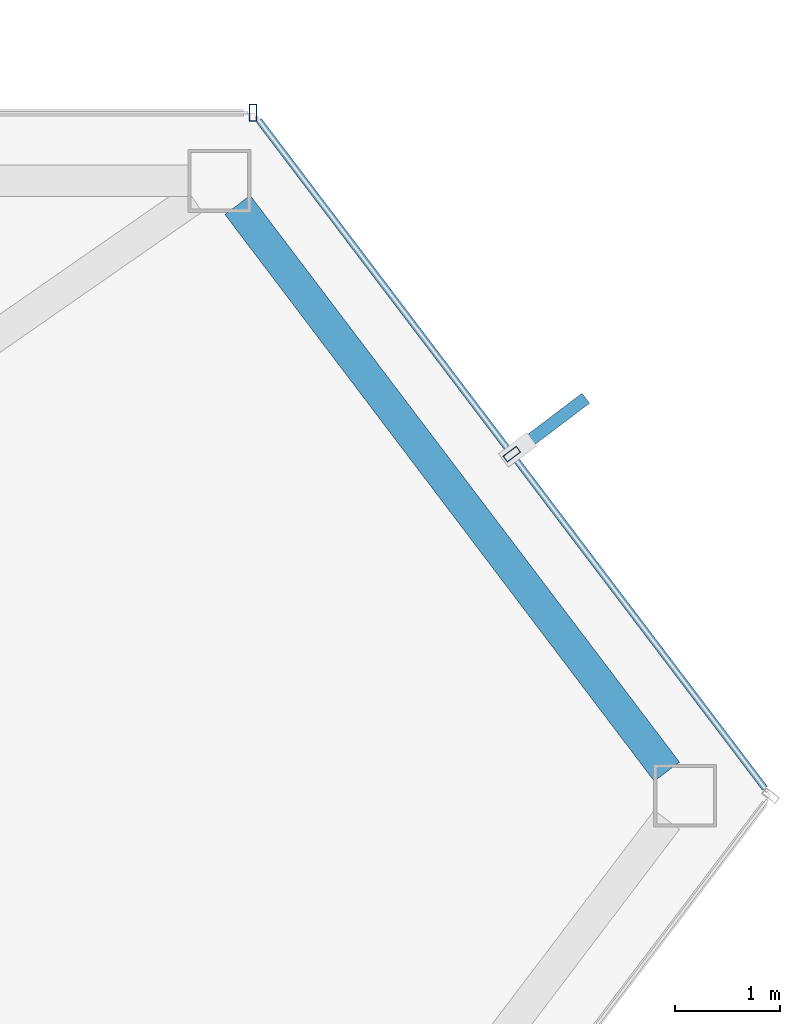
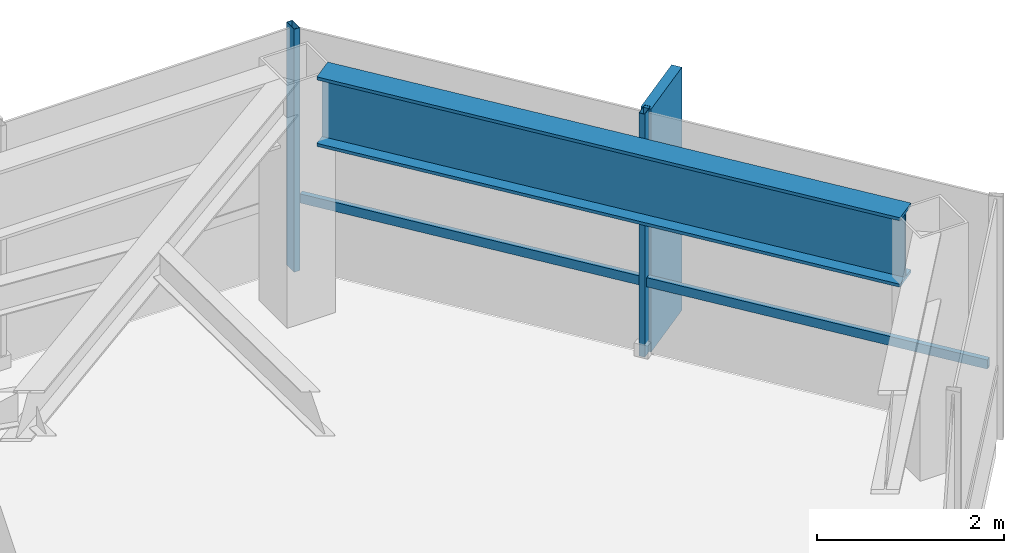
# One storey, part 22 of 27: 4 members, 1 beam, 2 elements without a shape of their own.
"""IFC4 building model written with IfcOpenShell, lengths in metres."""

from ifc_helpers import new_model, si_unit, direction, frame, origin, origin_2d, place, context, subcontext, project, spatial, rectangle, hollow_rectangle, i_section, extrude, material, layer, layer_set, material_profile, profile_set, type_object, element, aggregate, save


model = new_model("IFC4")

# Units and contexts
model_context = context("Model", 3, precision=1e-05, world=origin(), true_north=direction((0.0, 1.0)))
body_context = subcontext(model_context, "Body", "Model", "MODEL_VIEW")
ifc_project = project(units=[si_unit("LENGTHUNIT", "METRE"), si_unit("AREAUNIT", "SQUARE_METRE"), si_unit("VOLUMEUNIT", "CUBIC_METRE"), si_unit("PLANEANGLEUNIT", "RADIAN"), si_unit("MASSUNIT", "GRAM", prefix="KILO")], contexts=[model_context])

# Site, building, storey
site_placement = place(None, origin())
site = spatial("IfcSite", under=ifc_project, at=site_placement, CompositionType="ELEMENT")
building_placement = place(site_placement, origin())
building = spatial("IfcBuilding", under=site, at=building_placement, Name="Zarrinselat Tower", CompositionType="ELEMENT")
storey_placement = place(building_placement, frame((0.0, 0.0, 229.159912109375)))
storey = spatial("IfcBuildingStorey", under=building, at=storey_placement, Name="L57", CompositionType="ELEMENT", Elevation=229.159912109375)

# Beam
ifc_material_1 = material(Name="Steel S460M", Category="steel")
ifc_material_profile_1 = material_profile(ifc_material_1, i_section(OverallWidth=0.302001953125, OverallDepth=0.909912109375, WebThickness=0.02099609375, FlangeThickness=0.0400390625, at=origin_2d()), Name="HEM 900")
ifc_profile_set_1 = profile_set([ifc_material_profile_1], Name="Steel S460M")
beam_type = type_object("IfcBeamType", Name="BM-HEM900", PredefinedType="BEAM", material=ifc_profile_set_1)
beam_placement = place(storey_placement, frame((56.76611328125, 47.298095703125, 2.72509765625), z_axis=(0.60386808103, -0.797084274537, 0.0), x_axis=(0.797084274537, 0.60386808103, 0.0)))
element("IfcBeam", 1, at=beam_placement, inside=storey, type_object=beam_type, Name="L57 Perimeter Spandrel Girder SP15", PredefinedType="BEAM", context=body_context, shape_type="SweptSolid", body=[
    extrude(i_section(OverallWidth=0.302001953125, OverallDepth=0.909912109375, WebThickness=0.02099609375, FlangeThickness=0.0400390625, at=origin_2d()), origin(), (0.0, 0.0, 1.0), 6.7841796875),
])

# Curtain wall, member
ifc_material_2 = material(Name="Extruded Aluminium Alloy EN AW-6063 T6", Category="aluminium")
ifc_layer = layer(ifc_material_2, 0.169921875)
ifc_layer_set = layer_set([ifc_layer], Name="Extruded Aluminium Alloy EN AW-6063 T6")
curtain_wall_type = type_object("IfcCurtainWallType", Name="CWS-RES", PredefinedType="NOTDEFINED", material=ifc_layer_set)
curtain_wall_1_placement = place(storey_placement, origin())
curtain_wall_1 = element("IfcCurtainWall", 2, at=curtain_wall_1_placement, inside=storey, type_object=curtain_wall_type, Name="L57 Unitised Curtain Wall CW-L57-E01", PredefinedType="NOTDEFINED")
ifc_material_3 = material(Name="Extruded Aluminium Alloy EN AW-6063 T6", Category="aluminium")
ifc_material_profile_2 = material_profile(ifc_material_3, hollow_rectangle(XDim=0.070068359375, YDim=0.159912109375, WallThickness=0.00390625, at=origin_2d()), Name="RHS 160x70x4")
ifc_profile_set_2 = profile_set([ifc_material_profile_2], Name="Extruded Aluminium Alloy EN AW-6063 T6")
member_type_1 = type_object("IfcMemberType", Name="MEM-CW-MUL2", PredefinedType="MULLION", material=ifc_profile_set_2)
member_1_placement = place(storey_placement, frame((56.915283203125, 48.177734375, 0.0), z_axis=(0.0, 0.0, 1.0), x_axis=(-1.0, 0.0, 0.0)))
member_1 = element("IfcMember", 3, at=member_1_placement, type_object=member_type_1, Name="CW-L57-E01 Mullion 0", PredefinedType="MULLION", context=body_context, shape_type="SweptSolid", body=[
    extrude(hollow_rectangle(XDim=0.070068359375, YDim=0.159912109375, WallThickness=0.00390625, at=origin_2d()), origin(), (0.0, 0.0, 1.0), 3.18017578125),
])
aggregate(curtain_wall_1, [member_1])

# Curtain wall, members
curtain_wall_2_placement = place(storey_placement, origin())
curtain_wall_2 = element("IfcCurtainWall", 4, at=curtain_wall_2_placement, inside=storey, type_object=curtain_wall_type, Name="L57 Unitised Curtain Wall CW-L57-E06", PredefinedType="NOTDEFINED")
member_2_placement = place(storey_placement, frame((59.3837890625, 44.91943359375, 0.0), z_axis=(0.0, 0.0, 1.0), x_axis=(-0.603858158982, 0.797091791346, 0.0)))
member_2 = element("IfcMember", 5, at=member_2_placement, type_object=member_type_1, Name="CW-L57-E06 Mullion 1", PredefinedType="MULLION", context=body_context, shape_type="SweptSolid", body=[
    extrude(hollow_rectangle(XDim=0.070068359375, YDim=0.159912109375, WallThickness=0.00390625, at=origin_2d()), origin(), (0.0, 0.0, 1.0), 3.18017578125),
])
ifc_material_4 = material(Name="Extruded Aluminium Alloy EN AW-6063 T6", Category="aluminium")
ifc_material_profile_3 = material_profile(ifc_material_4, hollow_rectangle(XDim=0.06005859375, YDim=0.1201171875, WallThickness=0.00390625, at=origin_2d()), Name="RHS 120x60x4")
ifc_profile_set_3 = profile_set([ifc_material_profile_3], Name="Extruded Aluminium Alloy EN AW-6063 T6")
member_type_2 = type_object("IfcMemberType", Name="MEM-CW-TRN2", PredefinedType="USERDEFINED", material=ifc_profile_set_3)
member_3_placement = place(storey_placement, frame((61.7978515625, 41.73291015625, 0.9501953125), z_axis=(-0.603867093934, 0.797085022356, 0.0), x_axis=(-0.797085022356, -0.603867093934, 0.0)))
member_3 = element("IfcMember", 6, at=member_3_placement, type_object=member_type_2, Name="CW-L57-E06 Transom 1", ObjectType="TRANSOM", PredefinedType="USERDEFINED", context=body_context, shape_type="SweptSolid", body=[
    extrude(hollow_rectangle(XDim=0.06005859375, YDim=0.1201171875, WallThickness=0.00390625, at=origin_2d()), origin(), (0.0, 0.0, 1.0), 7.995849609375),
])
ifc_material_5 = material(Name="Honed Cream Travertine Stone", Category="masonry")
ifc_material_profile_4 = material_profile(ifc_material_5, rectangle(XDim=0.1201171875, YDim=0.85009765625, at=origin_2d()), Name="FIN 850x120")
ifc_profile_set_4 = profile_set([ifc_material_profile_4], Name="Honed Cream Travertine Stone")
member_type_3 = type_object("IfcMemberType", Name="MEM-STONE-FIN", PredefinedType="USERDEFINED", material=ifc_profile_set_4)
member_4_placement = place(storey_placement, frame((59.75048828125, 45.197265625, 0.0), z_axis=(0.0, 0.0, 1.0), x_axis=(0.603858158982, -0.797091791346, 0.0)))
member_4 = element("IfcMember", 7, at=member_4_placement, type_object=member_type_3, Name="L57 Stone Shading Fin CW-L57-E06-01", ObjectType="FIN", PredefinedType="USERDEFINED", context=body_context, shape_type="SweptSolid", body=[
    extrude(rectangle(XDim=0.1201171875, YDim=0.85009765625, at=origin_2d()), origin(), (0.0, 0.0, 1.0), 3.18017578125),
])
aggregate(curtain_wall_2, [member_2, member_4, member_3])

save(model, "model.ifc")
